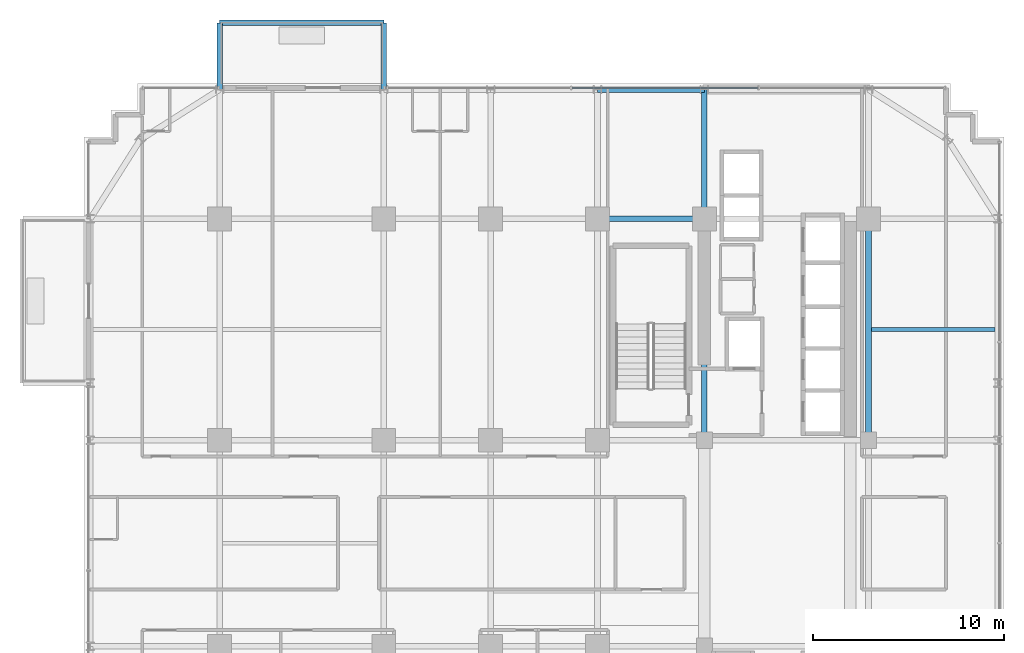
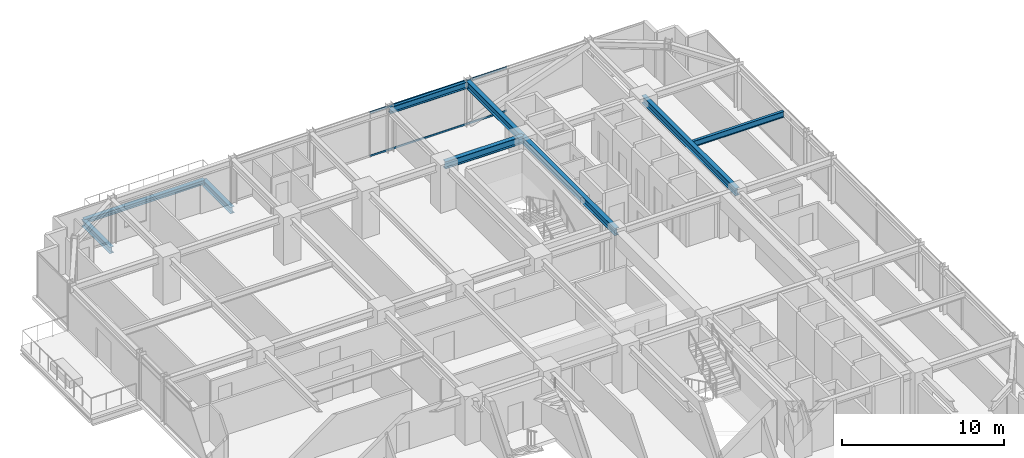
# One storey, part 22 of 35: 9 beams, 2 members, 1 element without a shape of its own.
"""IFC4 building model written with IfcOpenShell, lengths in metres."""

from ifc_helpers import new_model, si_unit, direction, frame, origin, origin_2d, place, context, subcontext, project, spatial, hollow_rectangle, i_section, extrude, source, transform, mapped, material, material_profile, profile_set, type_object, element, aggregate, save


model = new_model("IFC4")

# Units and contexts
model_context = context("Model", 3, precision=1e-05, world=origin(), true_north=direction((0.0, 1.0)))
body_context = subcontext(model_context, "Body", "Model", "MODEL_VIEW")
ifc_project = project(units=[si_unit("LENGTHUNIT", "METRE"), si_unit("AREAUNIT", "SQUARE_METRE"), si_unit("VOLUMEUNIT", "CUBIC_METRE"), si_unit("PLANEANGLEUNIT", "RADIAN"), si_unit("MASSUNIT", "GRAM", prefix="KILO")], contexts=[model_context])

# Site, building, storey
site_placement = place(None, origin())
site = spatial("IfcSite", under=ifc_project, at=site_placement, CompositionType="ELEMENT")
building_placement = place(site_placement, origin())
building = spatial("IfcBuilding", under=site, at=building_placement, Name="Nahalor Promenade Grand Hotel", CompositionType="ELEMENT")
storey_placement = place(building_placement, frame((0.0, 0.0, 106.550048828125)))
storey = spatial("IfcBuildingStorey", under=building, at=storey_placement, Name="L26", CompositionType="ELEMENT", Elevation=106.550048828125)

# Beams
ifc_material_1 = material(Name="Steel S355JR", Category="steel")
ifc_material_profile_1 = material_profile(ifc_material_1, i_section(OverallWidth=0.3, OverallDepth=0.32, WebThickness=0.0115, FlangeThickness=0.0205, at=origin_2d()), Name="HEB 320")
ifc_profile_set_1 = profile_set([ifc_material_profile_1], Name="Steel S355JR")
beam_type_1 = type_object("IfcBeamType", Name="Beam-BalcEdge-HEB320", PredefinedType="SPANDREL", material=ifc_profile_set_1)
shared_shape_1 = source(origin(), body_context, "Body", "SweptSolid", [
    extrude(i_section(OverallWidth=0.3, OverallDepth=0.32, WebThickness=0.0115, FlangeThickness=0.0205, at=origin_2d()), origin(), (0.0, 0.0, 1.0), 8.60009765625),
])
beam_1_placement = place(storey_placement, frame((-17.0, 27.27001953125, -0.43994140625), z_axis=(1.0, 0.0, 0.0), x_axis=(0.0, 1.0, 0.0)))
element("IfcBeam", 1, at=beam_1_placement, inside=storey, type_object=beam_type_1, Name="BM-L26-BC-01-F", PredefinedType="SPANDREL", context=body_context, shape_type="MappedRepresentation", body=[
    mapped(shared_shape_1, transform((0.0, 0.0, 0.0), scale=1.0)),
])
ifc_material_profile_2 = material_profile(ifc_material_1, i_section(OverallWidth=0.3, OverallDepth=0.5, WebThickness=0.0145, FlangeThickness=0.028, at=origin_2d()), Name="HEB 500")
ifc_profile_set_2 = profile_set([ifc_material_profile_2], Name="Steel S355JR")
beam_type_2 = type_object("IfcBeamType", Name="Beam-Outrigger-HEB500", PredefinedType="BEAM", material=ifc_profile_set_2)
shared_shape_2 = source(origin(), body_context, "Body", "SweptSolid", [
    extrude(i_section(OverallWidth=0.3, OverallDepth=0.5, WebThickness=0.0145, FlangeThickness=0.028, at=origin_2d()), origin(), (0.0, 0.0, 1.0), 3.489990234375),
])
for number, where, z_axis, x_axis, name in (
    (2, (-17.0, 23.780029296875, -0.530029296875), (0.0, 1.0, 0.0), (-1.0, 0.0, 0.0), "BM-L26-BC-01-1"),
    (3, (-8.39990234375, 23.780029296875, -0.530029296875), (0.0, 1.0, 0.0), (-1.0, 0.0, 0.0), "BM-L26-BC-01-2"),
):
    element("IfcBeam", number, at=place(storey_placement, frame(where, z_axis=z_axis, x_axis=x_axis)), inside=storey, type_object=beam_type_2, Name=name, PredefinedType="BEAM", context=body_context, shape_type="MappedRepresentation", body=[
        mapped(shared_shape_2, transform((0.0, 0.0, 0.0), scale=1.0)),
    ])
ifc_material_profile_3 = material_profile(ifc_material_1, i_section(OverallWidth=0.3, OverallDepth=0.5, WebThickness=0.0145, FlangeThickness=0.028, at=origin_2d()), Name="HEB 500")
ifc_profile_set_3 = profile_set([ifc_material_profile_3], Name="Steel S355JR")
beam_type_3 = type_object("IfcBeamType", Name="Beam-Spandrel-HEB500", PredefinedType="SPANDREL", material=ifc_profile_set_3)
shared_shape_3 = source(origin(), body_context, "Body", "SweptSolid", [
    extrude(i_section(OverallWidth=0.3, OverallDepth=0.5, WebThickness=0.0145, FlangeThickness=0.028, at=origin_2d()), origin(), (0.0, 0.0, 1.0), 5.599853515625),
])
beam_2_placement = place(storey_placement, frame((2.800048828125, 23.780029296875, 3.1298828125), z_axis=(1.0, 0.0, 0.0), x_axis=(0.0, 1.0, 0.0)))
element("IfcBeam", 4, at=beam_2_placement, inside=storey, type_object=beam_type_3, Name="BM-L26-SP-N-3", PredefinedType="SPANDREL", context=body_context, shape_type="MappedRepresentation", body=[
    mapped(shared_shape_3, transform((0.0, 0.0, 0.0), scale=1.0)),
])
ifc_material_profile_4 = material_profile(ifc_material_1, i_section(OverallWidth=0.3, OverallDepth=0.55, WebThickness=0.015, FlangeThickness=0.029, at=origin_2d()), Name="HEB 550")
ifc_profile_set_4 = profile_set([ifc_material_profile_4], Name="Steel S355JR")
beam_type_4 = type_object("IfcBeamType", Name="Beam-Girder-HEB550", PredefinedType="BEAM", material=ifc_profile_set_4)
shared_shape_4 = source(origin(), body_context, "Body", "SweptSolid", [
    extrude(i_section(OverallWidth=0.3, OverallDepth=0.55, WebThickness=0.015, FlangeThickness=0.029, at=origin_2d()), origin(), (0.0, 0.0, 1.0), 6.780029296875),
])
beam_3_placement = place(storey_placement, frame((8.39990234375, 17.0, 3.10498046875), z_axis=(0.0, 1.0, 0.0), x_axis=(-1.0, 0.0, 0.0)))
element("IfcBeam", 5, at=beam_3_placement, inside=storey, type_object=beam_type_4, Name="BM-L26-GY-4-4", PredefinedType="BEAM", context=body_context, shape_type="MappedRepresentation", body=[
    mapped(shared_shape_4, transform((0.0, 0.0, 0.0), scale=1.0)),
])
shared_shape_5 = source(origin(), body_context, "Body", "SweptSolid", [
    extrude(i_section(OverallWidth=0.3, OverallDepth=0.55, WebThickness=0.015, FlangeThickness=0.029, at=origin_2d()), origin(), (0.0, 0.0, 1.0), 5.599853515625),
])
beam_4_placement = place(storey_placement, frame((2.800048828125, 17.0, 3.10498046875), z_axis=(1.0, 0.0, 0.0), x_axis=(0.0, 1.0, 0.0)))
element("IfcBeam", 6, at=beam_4_placement, inside=storey, type_object=beam_type_4, Name="BM-L26-GX-3-4", PredefinedType="BEAM", context=body_context, shape_type="MappedRepresentation", body=[
    mapped(shared_shape_5, transform((0.0, 0.0, 0.0), scale=1.0)),
])
shared_shape_6 = source(origin(), body_context, "Body", "SweptSolid", [
    extrude(i_section(OverallWidth=0.3, OverallDepth=0.55, WebThickness=0.015, FlangeThickness=0.029, at=origin_2d()), origin(), (0.0, 0.0, 1.0), 11.60009765625),
])
for number, where, z_axis, x_axis, name in (
    (7, (8.39990234375, 5.39990234375, 3.10498046875), (0.0, 1.0, 0.0), (-1.0, 0.0, 0.0), "BM-L26-GY-4-3"),
    (8, (17.0, 5.39990234375, 3.10498046875), (0.0, 1.0, 0.0), (-1.0, 0.0, 0.0), "BM-L26-GY-5-3"),
):
    element("IfcBeam", number, at=place(storey_placement, frame(where, z_axis=z_axis, x_axis=x_axis)), inside=storey, type_object=beam_type_4, Name=name, PredefinedType="BEAM", context=body_context, shape_type="MappedRepresentation", body=[
        mapped(shared_shape_6, transform((0.0, 0.0, 0.0), scale=1.0)),
    ])
ifc_material_profile_5 = material_profile(ifc_material_1, i_section(OverallWidth=0.19, OverallDepth=0.45, WebThickness=0.0094, FlangeThickness=0.0146, at=origin_2d()), Name="IPE 450")
ifc_profile_set_5 = profile_set([ifc_material_profile_5], Name="Steel S355JR")
beam_type_5 = type_object("IfcBeamType", Name="Beam-Joist-IPE450", PredefinedType="JOIST", material=ifc_profile_set_5)
shared_shape_7 = source(origin(), body_context, "Body", "SweptSolid", [
    extrude(i_section(OverallWidth=0.19, OverallDepth=0.45, WebThickness=0.0094, FlangeThickness=0.0146, at=origin_2d()), origin(), (0.0, 0.0, 1.0), 6.47998046875),
])
beam_5_placement = place(storey_placement, frame((17.14990234375, 11.199951171875, 3.155029296875), z_axis=(1.0, 0.0, 0.0), x_axis=(0.0, 1.0, 0.0)))
element("IfcBeam", 9, at=beam_5_placement, inside=storey, type_object=beam_type_5, Name="BM-L26-JSE-1-2", PredefinedType="JOIST", context=body_context, shape_type="MappedRepresentation", body=[
    mapped(shared_shape_7, transform((0.0, 0.0, 0.0), scale=1.0)),
])

# Curtain wall, members
ifc_material_2 = material(Name="Anodised Bronze Aluminium EN AW-6063 T6", Category="aluminium")
curtain_wall_type = type_object("IfcCurtainWallType", Name="CW2 Typical Hotel Flush Bronze Unitised Curtain Wall", PredefinedType="USERDEFINED", material=ifc_material_2)
curtain_wall_placement = place(storey_placement, origin())
curtain_wall = element("IfcCurtainWall", 10, at=curtain_wall_placement, inside=storey, type_object=curtain_wall_type, Name="L26 Curtain Wall CW-L26-N-3", ObjectType="UNITISED_CURTAIN_WALL", PredefinedType="USERDEFINED")
ifc_material_profile_6 = material_profile(ifc_material_2, hollow_rectangle(XDim=0.065, YDim=0.13, WallThickness=0.004, at=origin_2d()), Name="CWT 65x130x4")
ifc_profile_set_6 = profile_set([ifc_material_profile_6], Name="Anodised Bronze Aluminium EN AW-6063 T6")
member_type = type_object("IfcMemberType", Name="CWT2 Typical Bronze Transom 65x130", PredefinedType="USERDEFINED", material=ifc_profile_set_6)
shared_shape_8 = source(origin(), body_context, "Body", "SweptSolid", [
    extrude(hollow_rectangle(XDim=0.065, YDim=0.13, WallThickness=0.004, at=origin_2d()), origin(), (0.0, 0.0, 1.0), 9.755126953125),
])
member_1_placement = place(storey_placement, frame((1.452392578125, 23.860107421875, 0.06494140625), z_axis=(1.0, 0.0, 0.0), x_axis=(0.0, 1.0, 0.0)))
member_1 = element("IfcMember", 11, at=member_1_placement, type_object=member_type, Name="CW-L26-N-3 Transom 1-0", ObjectType="TRANSOM", PredefinedType="USERDEFINED", context=body_context, shape_type="MappedRepresentation", body=[
    mapped(shared_shape_8, transform((0.0, 0.0, 0.0), scale=1.0)),
])
member_2_placement = place(storey_placement, frame((1.452392578125, 23.860107421875, 3.31494140625), z_axis=(1.0, 0.0, 0.0), x_axis=(0.0, 1.0, 0.0)))
member_2 = element("IfcMember", 12, at=member_2_placement, type_object=member_type, Name="CW-L26-N-3 Transom 1-1", ObjectType="TRANSOM", PredefinedType="USERDEFINED", context=body_context, shape_type="MappedRepresentation", body=[
    mapped(shared_shape_8, transform((0.0, 0.0, 0.0), scale=1.0)),
])
aggregate(curtain_wall, [member_1, member_2])

save(model, "model.ifc")
